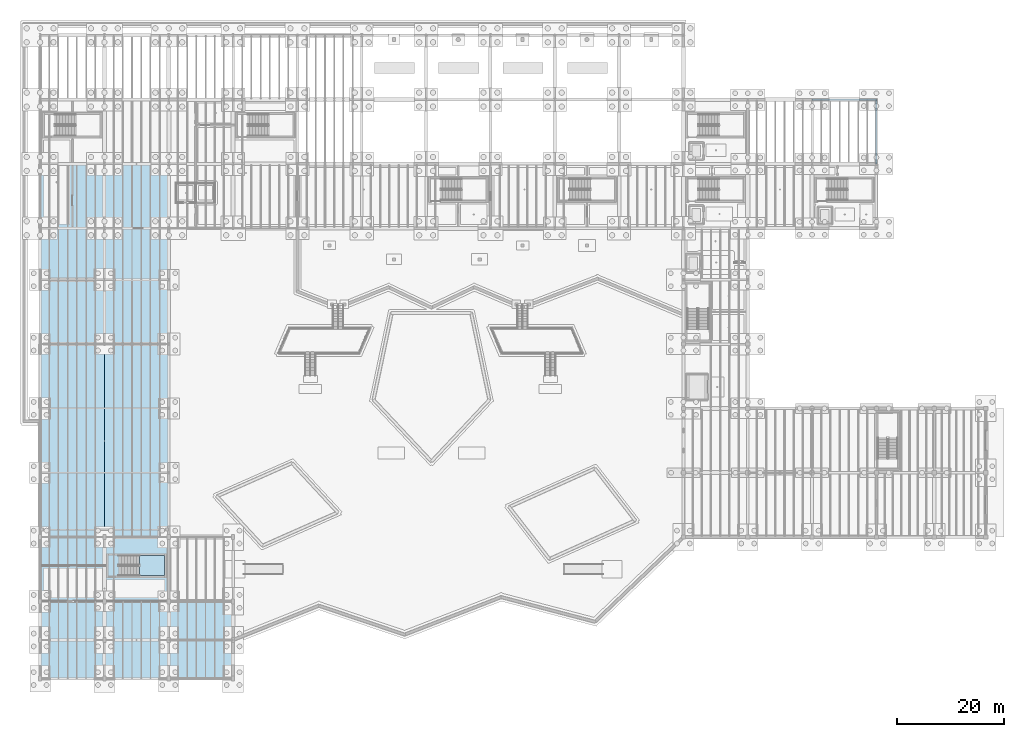
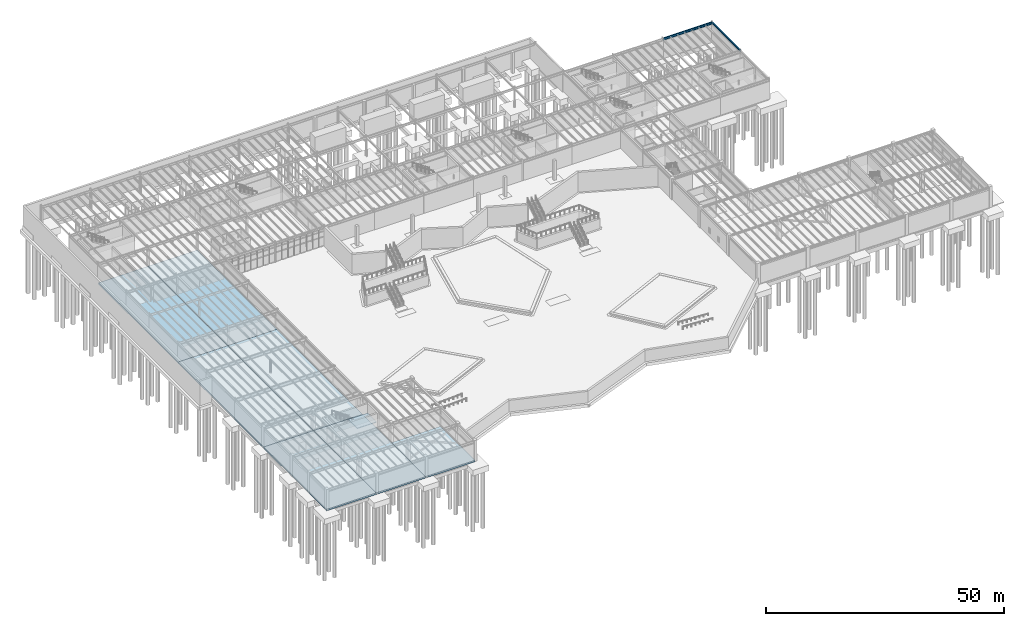
# One storey, part 28 of 67: 8 slabs, 2 beams, 1 element without a shape of its own.
"""IFC4 building model written with IfcOpenShell, lengths in metres."""

import ifcopenshell
import ifcopenshell.guid

model = None  # the IFC model being written
_history = None  # IfcOwnerHistory: only IFC2X3 demands one
_inside = {}  # id of a spatial element -> (the spatial element, [elements in it])
_under = {}  # id of a project, library or spatial element -> (it, [spatial elements below it])
_declared = {}  # id of a project -> (the project, [libraries it declares])
_typed = {}  # id of a type object -> (the type object, [elements of that type])
_made_of = {}  # id of a material, layer set ... -> (it, [elements and type objects made of it])


def new_model(schema):
    """Start an empty IFC model of exactly this schema.

    Asked for "IFC4X3", IfcOpenShell would pick the latest addendum, in which some entities
    have other attributes; the version numbers below select the first issue.
    IFC2X3 requires an IfcOwnerHistory on every rooted entity: one is made here for all.
    """
    global model, _history
    if schema == "IFC4X3":
        model = ifcopenshell.file(schema_version=(4, 3, 0, 0))
    else:
        model = ifcopenshell.file(schema=schema)
    _inside.clear()
    _under.clear()
    _declared.clear()
    _typed.clear()
    _made_of.clear()
    _history = None
    if model.schema == "IFC2X3":
        org = make("IfcOrganization", Name="unknown")
        user = make(
            "IfcPersonAndOrganization",
            ThePerson=make("IfcPerson", FamilyName="unknown"),
            TheOrganization=org,
        )
        app = make(
            "IfcApplication",
            ApplicationDeveloper=org,
            Version="unknown",
            ApplicationFullName="unknown",
            ApplicationIdentifier="unknown",
        )
        _history = make(
            "IfcOwnerHistory",
            OwningUser=user,
            OwningApplication=app,
            ChangeAction="ADDED",
            CreationDate=0,
        )
    return model


def make(cls, **values):
    """One entity of the class cls with the attributes given. An attribute that is None is left unset."""
    return model.create_entity(
        cls, **{name: value for name, value in values.items() if value is not None}
    )


def rooted(cls, **values):
    """An entity with a GlobalId (a new one), such as an element, a storey or a relation."""
    return make(cls, GlobalId=ifcopenshell.guid.new(), OwnerHistory=_history, **values)


def si_unit(unit_type, name, prefix=None):
    """IfcSIUnit, for example si_unit("LENGTHUNIT", "METRE", prefix="MILLI")."""
    return make("IfcSIUnit", UnitType=unit_type, Prefix=prefix, Name=name)


def assignment(units):
    """IfcUnitAssignment: the units of a project."""
    return None if units is None else make("IfcUnitAssignment", Units=units)


def point(xyz):
    """IfcCartesianPoint."""
    return None if xyz is None else make("IfcCartesianPoint", Coordinates=xyz)


def direction(xyz):
    """IfcDirection."""
    return None if xyz is None else make("IfcDirection", DirectionRatios=xyz)


def frame(location, z_axis=None, x_axis=None):
    """IfcAxis2Placement3D, a coordinate frame: its origin and axes. An axis left out is left unset."""
    return make(
        "IfcAxis2Placement3D",
        Location=point(location),
        Axis=direction(z_axis),
        RefDirection=direction(x_axis),
    )


def frame_2d(location, x_axis=None):
    """IfcAxis2Placement2D, a coordinate frame in the plane: its origin and x axis."""
    return make(
        "IfcAxis2Placement2D", Location=point(location), RefDirection=direction(x_axis)
    )


def origin():
    """The frame at (0, 0, 0) with its axes left unset."""
    return frame((0.0, 0.0, 0.0))


def origin_2d():
    """The frame at (0, 0) in the plane with its x axis left unset."""
    return frame_2d((0.0, 0.0))


def place(relative_to, where):
    """IfcLocalPlacement: puts the frame where relative to a parent placement (None: the world)."""
    return make(
        "IfcLocalPlacement", PlacementRelTo=relative_to, RelativePlacement=where
    )


def context(
    kind, dimensions, precision=None, world=None, true_north=None, identifier=None
):
    """IfcGeometricRepresentationContext, for example the 3D "Model" context."""
    return make(
        "IfcGeometricRepresentationContext",
        ContextIdentifier=identifier,
        ContextType=kind,
        CoordinateSpaceDimension=dimensions,
        Precision=precision,
        WorldCoordinateSystem=world,
        TrueNorth=true_north,
    )


def subcontext(parent, identifier, kind, view, scale=None):
    """IfcGeometricRepresentationSubContext, for example "Body" below "Model"."""
    return make(
        "IfcGeometricRepresentationSubContext",
        ContextIdentifier=identifier,
        ContextType=kind,
        ParentContext=parent,
        TargetScale=scale,
        TargetView=view,
    )


def project(units=None, contexts=None):
    """IfcProject with its units and contexts."""
    return rooted(
        "IfcProject",
        Name="project",
        RepresentationContexts=contexts,
        UnitsInContext=assignment(units),
    )


def spatial(cls, under=None, at=None, **own):
    """A site, building, storey or space (cls), placed at a placement, below another one or the project."""
    s = rooted(cls, ObjectPlacement=at, **own)
    if under is not None:
        _under.setdefault(under.id(), (under, []))[1].append(s)
    return s


def polyline(points):
    """IfcPolyline through the points."""
    return make("IfcPolyline", Points=[point(p) for p in points])


def profile(cls, at=None, kind="AREA", **sizes):
    """A parametric profile (cls). Its sizes go by their IFC names, for example OverallWidth=200.0."""
    return make(cls, ProfileType=kind, Position=at, **sizes)


def i_section(**sizes):
    """IfcIShapeProfileDef."""
    return profile("IfcIShapeProfileDef", **sizes)


def outline(outer, holes=None, kind="AREA"):
    """IfcArbitraryClosedProfileDef: a profile drawn as a closed curve; with holes, ...WithVoids."""
    if holes is None:
        return make("IfcArbitraryClosedProfileDef", ProfileType=kind, OuterCurve=outer)
    return make(
        "IfcArbitraryProfileDefWithVoids",
        ProfileType=kind,
        OuterCurve=outer,
        InnerCurves=holes,
    )


def extrude(swept, where, along, depth):
    """IfcExtrudedAreaSolid: the profile swept, set in the frame where, extruded along a direction by depth."""
    return make(
        "IfcExtrudedAreaSolid",
        SweptArea=swept,
        Position=where,
        ExtrudedDirection=direction(along),
        Depth=depth,
    )


def shape(context_of_items, identifier, shape_type, items):
    """IfcShapeRepresentation: the items that make up one representation, for example the "Body"."""
    return make(
        "IfcShapeRepresentation",
        ContextOfItems=context_of_items,
        RepresentationIdentifier=identifier,
        RepresentationType=shape_type,
        Items=items,
    )


def material(Name=None, Category=None):
    """IfcMaterial."""
    return make("IfcMaterial", Name=Name, Category=Category)


def layer(
    of_material, thickness, ventilated=None, Name=None, Category=None, Priority=None
):
    """IfcMaterialLayer: one layer of a wall or slab, of a material (None: an air gap)."""
    return make(
        "IfcMaterialLayer",
        Material=of_material,
        LayerThickness=thickness,
        IsVentilated=ventilated,
        Name=Name,
        Category=Category,
        Priority=Priority,
    )


def layer_set(layers, Name=None):
    """IfcMaterialLayerSet."""
    return make("IfcMaterialLayerSet", MaterialLayers=layers, LayerSetName=Name)


def material_profile(
    of_material, cross_section, Name=None, Category=None, Priority=None
):
    """IfcMaterialProfile: a cross section and its material."""
    return make(
        "IfcMaterialProfile",
        Name=Name,
        Material=of_material,
        Profile=cross_section,
        Priority=Priority,
        Category=Category,
    )


def profile_set(profiles, Name=None, composite=None):
    """IfcMaterialProfileSet."""
    return make(
        "IfcMaterialProfileSet",
        Name=Name,
        MaterialProfiles=profiles,
        CompositeProfile=composite,
    )


def made_of(thing, what):
    """Note that an element or type object is made of a material, layer set ...; save() writes the relation."""
    if what is not None:
        _made_of.setdefault(what.id(), (what, []))[1].append(thing)
    return thing


def type_object(cls, material=None, **own):
    """A type object (cls), such as IfcWallType, which elements share."""
    return made_of(rooted(cls, **own), material)


def element(
    cls,
    number,
    at=None,
    inside=None,
    cuts=None,
    type_object=None,
    material=None,
    context=None,
    identifier="Body",
    shape_type=None,
    held_by="IfcProductDefinitionShape",
    body=None,
    shapes=None,
    **own,
):
    """One element of the class cls, such as IfcWall. Its Tag is "e" and its number.

    at: its placement. inside: the storey or other place that contains it. cuts: it is an
    opening in that element (IfcRelVoidsElement). A single representation is given by context,
    identifier, shape_type and body (its items); several are given by shapes. held_by: the class
    of the entity that holds the representations. save() writes the other relations.
    """
    e = rooted(cls, Tag="e%d" % number, ObjectPlacement=at, **own)
    if body is not None:
        shapes = [shape(context, identifier, shape_type, body)]
    if shapes is not None:
        e.Representation = make(held_by, Representations=shapes)
    if inside is not None:
        _inside.setdefault(inside.id(), (inside, []))[1].append(e)
    if cuts is not None:
        rooted(
            "IfcRelVoidsElement", RelatingBuildingElement=cuts, RelatedOpeningElement=e
        )
    if type_object is not None:
        _typed.setdefault(type_object.id(), (type_object, []))[1].append(e)
    return made_of(e, material)


def aggregate(whole, parts):
    """IfcRelAggregates: a whole, such as a stair, and the parts it consists of."""
    return rooted("IfcRelAggregates", RelatingObject=whole, RelatedObjects=parts)


def save(model, path):
    """Write the relations noted so far, then the file.

    IfcRelAggregates (storeys below a building ...), IfcRelContainedInSpatialStructure (elements
    in a storey), IfcRelDefinesByType, IfcRelAssociatesMaterial and IfcRelDeclares: one each for
    every whole, place, type object, material and project.
    """
    for whole, parts in _under.values():
        aggregate(whole, parts)
    for where, things in _inside.values():
        rooted(
            "IfcRelContainedInSpatialStructure",
            RelatedElements=things,
            RelatingStructure=where,
        )
    for kind, things in _typed.values():
        rooted("IfcRelDefinesByType", RelatedObjects=things, RelatingType=kind)
    for what, things in _made_of.values():
        rooted("IfcRelAssociatesMaterial", RelatedObjects=things, RelatingMaterial=what)
    for by, libraries in _declared.values():
        rooted("IfcRelDeclares", RelatingContext=by, RelatedDefinitions=libraries)
    model.write(path)


model = new_model("IFC4")

# Units and contexts
model_context = context("Model", 3, precision=1e-05, world=origin(), true_north=direction((0.0, 1.0)))
body_context = subcontext(model_context, "Body", "Model", "MODEL_VIEW")
ifc_project = project(units=[si_unit("LENGTHUNIT", "METRE"), si_unit("AREAUNIT", "SQUARE_METRE"), si_unit("VOLUMEUNIT", "CUBIC_METRE"), si_unit("PLANEANGLEUNIT", "RADIAN"), si_unit("MASSUNIT", "GRAM", prefix="KILO")], contexts=[model_context])

# Site, building, storey
site_placement = place(None, origin())
site = spatial("IfcSite", under=ifc_project, at=site_placement, CompositionType="ELEMENT")
building_placement = place(site_placement, origin())
building = spatial("IfcBuilding", under=site, at=building_placement, Name="Zlatogorsky Bluff Art Gallery", CompositionType="ELEMENT")
storey_placement = place(building_placement, frame((0.0, 0.0, -5.39990234375)))
storey = spatial("IfcBuildingStorey", under=building, at=storey_placement, Name="B1", CompositionType="ELEMENT", Elevation=-5.39990234375)

# Beams
ifc_material_1 = material(Name="Steel S355", Category="steel")
ifc_material_profile_1 = material_profile(ifc_material_1, i_section(OverallWidth=0.300048828125, OverallDepth=0.550048828125, WebThickness=0.014892578125, FlangeThickness=0.029052734375, FilletRadius=0.027099609375, at=origin_2d()), Name="HEB 550")
ifc_profile_set_1 = profile_set([ifc_material_profile_1], Name="Steel S355")
beam_type_1 = type_object("IfcBeamType", Name="Beam BM-01 HEB 550", PredefinedType="BEAM", material=ifc_profile_set_1)
beam_1_placement = place(storey_placement, frame((144.014892578125, 108.0, 4.844970703125), z_axis=(1.0, 0.0, 0.0), x_axis=(0.0, 1.0, 0.0)))
element("IfcBeam", 1, at=beam_1_placement, inside=storey, type_object=beam_type_1, Name="Primary girder BM-01 B1 N-P/11", PredefinedType="BEAM", context=body_context, shape_type="SweptSolid", body=[
    extrude(i_section(OverallWidth=0.300048828125, OverallDepth=0.550048828125, WebThickness=0.014892578125, FlangeThickness=0.029052734375, FilletRadius=0.027099609375, at=origin_2d()), origin(), (0.0, 0.0, 1.0), 11.97021484375),
])
ifc_material_profile_2 = material_profile(ifc_material_1, i_section(OverallWidth=0.300048828125, OverallDepth=0.389892578125, WebThickness=0.010986328125, FlangeThickness=0.01904296875, FilletRadius=0.027099609375, at=origin_2d()), Name="HEA 400")
ifc_profile_set_2 = profile_set([ifc_material_profile_2], Name="Steel S355")
beam_type_2 = type_object("IfcBeamType", Name="Beam BM-09 HEA 400", PredefinedType="BEAM", material=ifc_profile_set_2)
beam_2_placement = place(storey_placement, frame((156.0, 96.014892578125, 4.9248046875), z_axis=(0.0, 1.0, 0.0), x_axis=(-1.0, 0.0, 0.0)))
element("IfcBeam", 2, at=beam_2_placement, inside=storey, type_object=beam_type_2, Name="Primary girder BM-09 B1 P/10-11", PredefinedType="BEAM", context=body_context, shape_type="SweptSolid", body=[
    extrude(i_section(OverallWidth=0.300048828125, OverallDepth=0.389892578125, WebThickness=0.010986328125, FlangeThickness=0.01904296875, FilletRadius=0.027099609375, at=origin_2d()), origin(), (0.0, 0.0, 1.0), 11.97021484375),
])

# Slabs
ifc_material_2 = material(Name="Concrete C35/45", Category="concrete")
ifc_layer_1 = layer(ifc_material_2, 0.39990234375)
ifc_layer_set_1 = layer_set([ifc_layer_1], Name="Slab SL-B1 400mm")
slab_type_1 = type_object("IfcSlabType", Name="Slab SL-B1 400mm", PredefinedType="BASESLAB", material=ifc_layer_set_1)
slab_1_placement = place(storey_placement, frame((0.0, 0.0, -0.400146484375)))
element("IfcSlab", 3, at=slab_1_placement, inside=storey, type_object=slab_type_1, Name="B1 structural floor slab panel 01", PredefinedType="BASESLAB", context=body_context, shape_type="SweptSolid", body=[
    extrude(outline(polyline([(12.0, 0.0), (0.0, 0.0), (0.0, 7.199951171875), (0.0, 14.39990234375), (0.0, 26.39990234375), (12.0, 26.39990234375), (12.0, 14.39990234375), (12.0, 7.199951171875), (12.0, 0.0)])), origin(), (0.0, 0.0, 1.0), 0.400146484375),
])
slab_2_placement = place(storey_placement, frame((0.0, 0.0, -0.400146484375)))
element("IfcSlab", 4, at=slab_2_placement, inside=storey, type_object=slab_type_1, Name="B1 structural floor slab panel 02", PredefinedType="BASESLAB", context=body_context, shape_type="SweptSolid", body=[
    extrude(outline(polyline([(12.0, 26.39990234375), (0.0, 26.39990234375), (0.0, 38.39990234375), (0.0, 50.39990234375), (0.0, 62.39990234375), (12.0, 62.39990234375), (12.0, 50.39990234375), (12.0, 38.39990234375), (12.0, 26.39990234375)])), origin(), (0.0, 0.0, 1.0), 0.400146484375),
])
slab_3_placement = place(storey_placement, frame((0.0, 0.0, -0.400146484375)))
element("IfcSlab", 5, at=slab_3_placement, inside=storey, type_object=slab_type_1, Name="B1 structural floor slab panel 03", PredefinedType="BASESLAB", context=body_context, shape_type="SweptSolid", body=[
    extrude(outline(polyline([(12.0, 62.39990234375), (0.0, 62.39990234375), (0.0, 74.39990234375), (0.0, 84.0), (0.0, 96.0), (12.0, 96.0), (12.0, 84.0), (12.0, 74.39990234375), (12.0, 62.39990234375)])), origin(), (0.0, 0.0, 1.0), 0.400146484375),
])
slab_4_placement = place(storey_placement, frame((0.0, 0.0, -0.400146484375)))
element("IfcSlab", 6, at=slab_4_placement, inside=storey, type_object=slab_type_1, Name="B1 structural floor slab panel 05", PredefinedType="BASESLAB", context=body_context, shape_type="SweptSolid", body=[
    extrude(outline(polyline([(24.0, 0.0), (12.0, 0.0), (12.0, 7.199951171875), (12.0, 14.39990234375), (12.0, 26.39990234375), (24.0, 26.39990234375), (24.0, 14.39990234375), (24.0, 7.199951171875), (24.0, 0.0)])), origin(), (0.0, 0.0, 1.0), 0.400146484375),
])
slab_5_placement = place(storey_placement, frame((0.0, 0.0, -0.400146484375)))
element("IfcSlab", 7, at=slab_5_placement, inside=storey, type_object=slab_type_1, Name="B1 structural floor slab panel 06", PredefinedType="BASESLAB", context=body_context, shape_type="SweptSolid", body=[
    extrude(outline(polyline([(24.0, 26.39990234375), (12.0, 26.39990234375), (12.0, 38.39990234375), (12.0, 50.39990234375), (12.0, 62.39990234375), (24.0, 62.39990234375), (24.0, 50.39990234375), (24.0, 38.39990234375), (24.0, 26.39990234375)])), origin(), (0.0, 0.0, 1.0), 0.400146484375),
])
slab_6_placement = place(storey_placement, frame((0.0, 0.0, -0.400146484375)))
element("IfcSlab", 8, at=slab_6_placement, inside=storey, type_object=slab_type_1, Name="B1 structural floor slab panel 07", PredefinedType="BASESLAB", context=body_context, shape_type="SweptSolid", body=[
    extrude(outline(polyline([(24.0, 62.39990234375), (12.0, 62.39990234375), (12.0, 74.39990234375), (12.0, 84.0), (12.0, 96.0), (24.0, 96.0), (24.0, 84.0), (24.0, 74.39990234375), (24.0, 62.39990234375)])), origin(), (0.0, 0.0, 1.0), 0.400146484375),
])
slab_7_placement = place(storey_placement, frame((0.0, 0.0, -0.400146484375)))
element("IfcSlab", 9, at=slab_7_placement, inside=storey, type_object=slab_type_1, Name="B1 structural floor slab panel 08", PredefinedType="BASESLAB", context=body_context, shape_type="SweptSolid", body=[
    extrude(outline(polyline([(36.0, 0.0), (24.0, 0.0), (24.0, 7.199951171875), (24.0, 14.39990234375), (36.0, 14.39990234375), (36.0, 7.199951171875), (36.0, 0.0)])), origin(), (0.0, 0.0, 1.0), 0.400146484375),
])

# Stair, slab
ifc_material_3 = material(Name="Concrete C30/37", Category="concrete")
stair_type = type_object("IfcStairType", Name="Protected Dogleg Stair ST-T1", PredefinedType="HALF_TURN_STAIR", material=ifc_material_3)
stair_placement = place(storey_placement, origin())
stair = element("IfcStair", 10, at=stair_placement, inside=storey, type_object=stair_type, Name="B1 Protected Exit Stair ST-09", PredefinedType="HALF_TURN_STAIR")
ifc_layer_2 = layer(ifc_material_3, 0.199951171875)
ifc_layer_set_2 = layer_set([ifc_layer_2], Name="Stair Half-Landing 200mm")
slab_type_2 = type_object("IfcSlabType", Name="Stair Half-Landing 200mm", PredefinedType="LANDING", material=ifc_layer_set_2)
slab_8_placement = place(storey_placement, frame((0.0, 0.0, 2.5)))
slab_8 = element("IfcSlab", 11, at=slab_8_placement, type_object=slab_type_2, Name="ST-09 landing 1", PredefinedType="LANDING", context=body_context, shape_type="SweptSolid", body=[
    extrude(outline(polyline([(18.52001953125, 19.199951171875), (23.199951171875, 19.199951171875), (23.199951171875, 22.949951171875), (18.52001953125, 22.949951171875), (18.52001953125, 19.199951171875)])), origin(), (0.0, 0.0, 1.0), 0.199951171875),
])
aggregate(stair, [slab_8])

save(model, "model.ifc")
